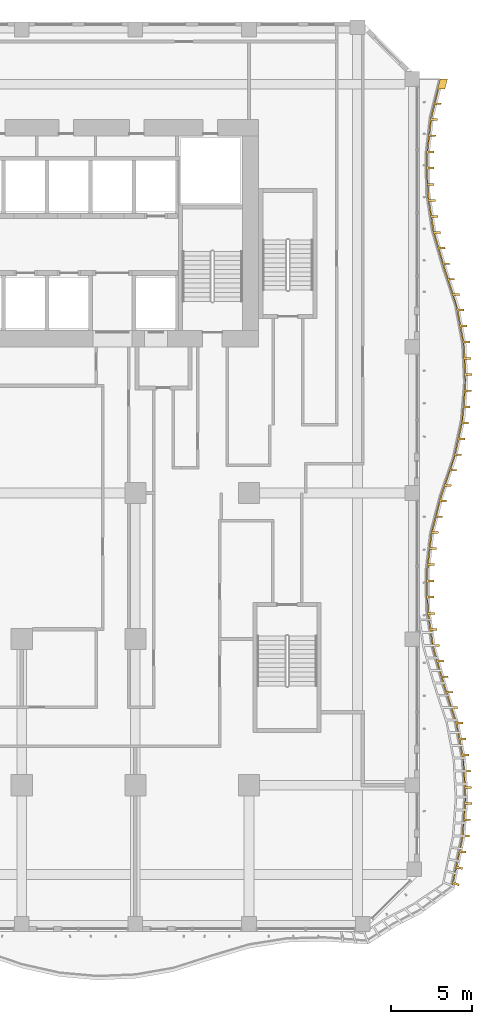
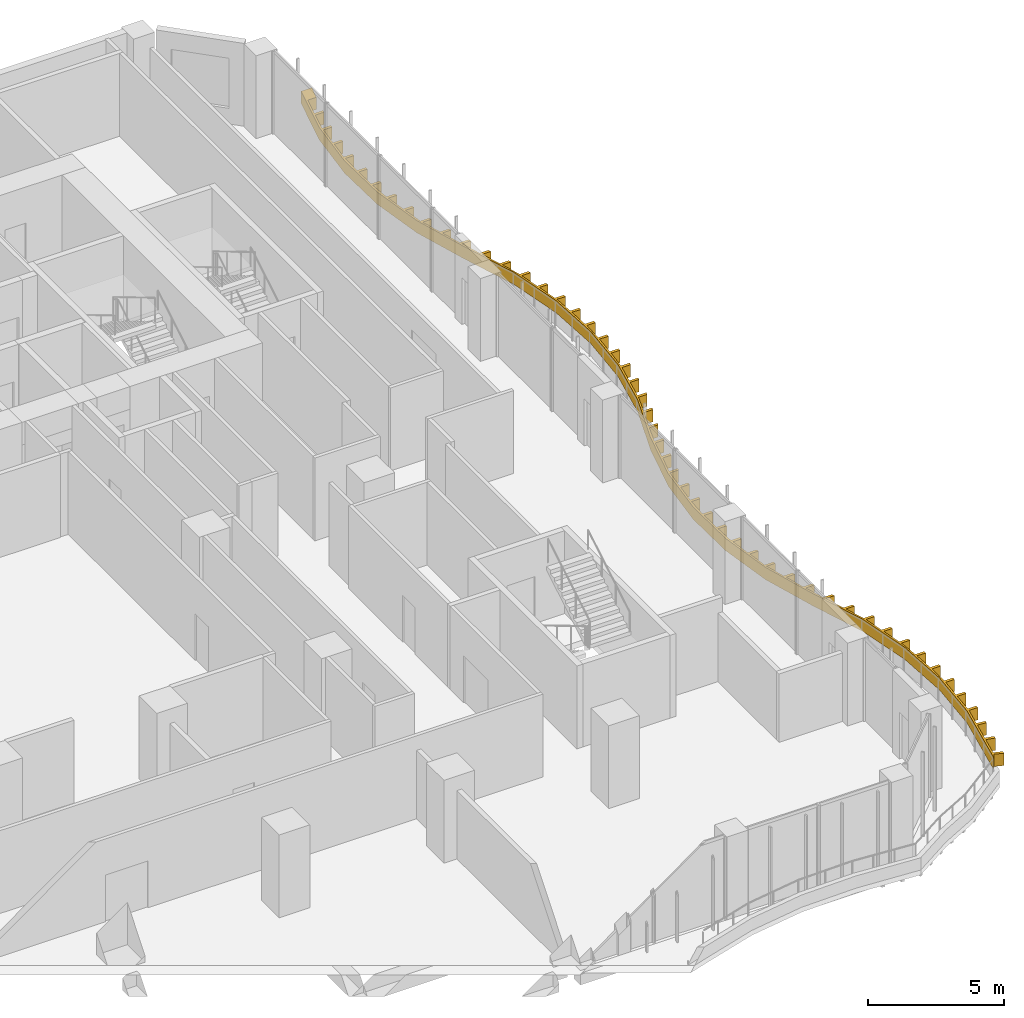
# One storey, part 24 of 27: 1 shading device.
"""IFC4 building model written with IfcOpenShell, lengths in metres."""

from ifc_helpers import new_model, si_unit, direction, frame, origin, place, context, subcontext, project, spatial, polyline, outline, extrude, source, transform, mapped, material, layer, layer_set, type_object, element, save


model = new_model("IFC4")

# Units and contexts
model_context = context("Model", 3, precision=1e-05, world=origin(), true_north=direction((0.0, 1.0)))
body_context = subcontext(model_context, "Body", "Model", "MODEL_VIEW")
ifc_project = project(units=[si_unit("LENGTHUNIT", "METRE"), si_unit("AREAUNIT", "SQUARE_METRE"), si_unit("VOLUMEUNIT", "CUBIC_METRE"), si_unit("PLANEANGLEUNIT", "RADIAN"), si_unit("MASSUNIT", "GRAM", prefix="KILO")], contexts=[model_context])

# Site, building, storey
site_placement = place(None, origin())
site = spatial("IfcSite", under=ifc_project, at=site_placement, CompositionType="ELEMENT")
building_placement = place(site_placement, origin())
building = spatial("IfcBuilding", under=site, at=building_placement, Name="Kilnfold Tower and Market Hall", CompositionType="ELEMENT")
storey_placement = place(building_placement, frame((0.0, 0.0, 47.0)))
storey = spatial("IfcBuildingStorey", under=building, at=storey_placement, Name="L10", CompositionType="ELEMENT", Elevation=47.0)

# Shading device
ifc_material = material(Name="Bronze anodised aluminium", Category="aluminium")
ifc_layer = layer(ifc_material, 0.550048828125)
ifc_layer_set = layer_set([ifc_layer], Name="Bronze anodised aluminium")
shading_device_type = type_object("IfcShadingDeviceType", Name="BRONZE SLAT FASCIA 550", PredefinedType="USERDEFINED", material=ifc_layer_set)
shared_shape = source(origin(), body_context, "Body", "SweptSolid", [
    extrude(outline(polyline([(30.432861328125, -25.205322265625), (30.087890625, -25.075439453125), (29.983154296875, -25.19580078125), (30.61767578125, -22.166748046875), (30.798583984375, -19.833251953125), (30.673583984375, -17.5), (30.235107421875, -15.166748046875), (29.467529296875, -12.833251953125), (28.7978515625, -10.5), (28.4560546875, -8.166748046875), (28.423583984375, -5.833251953125), (28.69873046875, -3.5), (29.29638671875, -1.166748046875), (30.10009765625, 1.166748046875), (30.607421875, 3.5), (30.7978515625, 5.833251953125), (30.681884765625, 8.166748046875), (30.25341796875, 10.5), (29.493408203125, 12.833251953125), (28.81298828125, 15.166748046875), (28.4619140625, 17.5), (28.420166015625, 19.833251953125), (28.685791015625, 22.166748046875), (29.2734375, 24.5), (29.723388671875, 24.5), (29.567626953125, 23.881591796875), (29.19775390625, 23.881591796875), (28.98291015625, 23.0283203125), (29.352783203125, 23.0283203125), (29.323486328125, 22.912109375), (28.95361328125, 22.912109375), (28.75341796875, 22.055908203125), (29.123291015625, 22.055908203125), (29.109619140625, 21.936767578125), (28.73974609375, 21.936767578125), (28.64013671875, 21.0625), (29.01025390625, 21.0625), (28.99658203125, 20.943115234375), (28.626708984375, 20.943115234375), (28.527099609375, 20.06884765625), (28.89697265625, 20.06884765625), (28.88330078125, 19.94970703125), (28.513427734375, 19.94970703125), (28.513916015625, 19.0703125), (28.8837890625, 19.0703125), (28.885986328125, 18.950439453125), (28.51611328125, 18.950439453125), (28.53173828125, 18.070556640625), (28.901611328125, 18.070556640625), (28.90380859375, 17.95068359375), (28.53369140625, 17.95068359375), (28.605712890625, 17.075439453125), (28.975830078125, 17.075439453125), (28.99365234375, 16.956787109375), (28.623779296875, 16.956787109375), (28.754638671875, 16.086669921875), (29.12451171875, 16.086669921875), (29.142578125, 15.968017578125), (28.7724609375, 15.968017578125), (28.91259765625, 15.099853515625), (29.28271484375, 15.099853515625), (29.316162109375, 14.984619140625), (28.9462890625, 14.984619140625), (29.1923828125, 14.1396484375), (29.5625, 14.1396484375), (29.59619140625, 14.0244140625), (29.22607421875, 14.0244140625), (29.472412109375, 13.1796875), (29.84228515625, 13.1796875), (29.8759765625, 13.064453125), (29.506103515625, 13.064453125), (29.771240234375, 12.2255859375), (30.141357421875, 12.2255859375), (30.178466796875, 12.111328125), (29.80859375, 12.111328125), (30.0810546875, 11.274658203125), (30.450927734375, 11.274658203125), (30.48828125, 11.16064453125), (30.1181640625, 11.16064453125), (30.36669921875, 10.31787109375), (30.73681640625, 10.31787109375), (30.75830078125, 10.19970703125), (30.388427734375, 10.19970703125), (30.54736328125, 9.334228515625), (30.91748046875, 9.334228515625), (30.939208984375, 9.21630859375), (30.569091796875, 9.21630859375), (30.72802734375, 8.3505859375), (31.097900390625, 8.3505859375), (31.11962890625, 8.232666015625), (30.749755859375, 8.232666015625), (30.80224609375, 7.354736328125), (31.172119140625, 7.354736328125), (31.177978515625, 7.23486328125), (30.80810546875, 7.23486328125), (30.851806640625, 6.35595703125), (31.2216796875, 6.35595703125), (31.227783203125, 6.236083984375), (30.85791015625, 6.236083984375), (30.839111328125, 5.358154296875), (31.208984375, 5.358154296875), (31.19921875, 5.238525390625), (30.8291015625, 5.238525390625), (30.757568359375, 4.361572265625), (31.127685546875, 4.361572265625), (31.117919921875, 4.241943359375), (30.747802734375, 4.241943359375), (30.658447265625, 3.367431640625), (31.028564453125, 3.367431640625), (31.0029296875, 3.250244140625), (30.633056640625, 3.250244140625), (30.446044921875, 2.390380859375), (30.816162109375, 2.390380859375), (30.79052734375, 2.273193359375), (30.420654296875, 2.273193359375), (30.233642578125, 1.4130859375), (30.603759765625, 1.4130859375), (30.578125, 1.2958984375), (30.208251953125, 1.2958984375), (29.9365234375, 0.459716796875), (30.306640625, 0.459716796875), (30.267578125, 0.34619140625), (29.8974609375, 0.34619140625), (29.611083984375, -0.48583984375), (29.98095703125, -0.48583984375), (29.94189453125, -0.599365234375), (29.572021484375, -0.599365234375), (29.306884765625, -1.437744140625), (29.677001953125, -1.437744140625), (29.647216796875, -1.55419921875), (29.27734375, -1.55419921875), (29.058837890625, -2.406494140625), (29.428955078125, -2.406494140625), (29.399169921875, -2.522705078125), (29.029052734375, -2.522705078125), (28.810791015625, -3.375244140625), (29.1806640625, -3.375244140625), (29.15087890625, -3.491455078125), (28.781005859375, -3.491455078125), (28.6767578125, -4.365234375), (29.046875, -4.365234375), (29.03271484375, -4.484375), (28.66259765625, -4.484375), (28.559814453125, -5.3583984375), (28.9296875, -5.3583984375), (28.91552734375, -5.4775390625), (28.545654296875, -5.4775390625), (28.510986328125, -6.35498046875), (28.880859375, -6.35498046875), (28.882568359375, -6.47509765625), (28.5126953125, -6.47509765625), (28.52490234375, -7.35498046875), (28.894775390625, -7.35498046875), (28.896484375, -7.474853515625), (28.526611328125, -7.474853515625), (28.5634765625, -8.352783203125), (28.933349609375, -8.352783203125), (28.95068359375, -8.4716796875), (28.580810546875, -8.4716796875), (28.708251953125, -9.34228515625), (29.078369140625, -9.34228515625), (29.095703125, -9.461181640625), (28.7255859375, -9.461181640625), (28.853271484375, -10.331787109375), (29.22314453125, -10.331787109375), (29.240478515625, -10.450439453125), (28.87060546875, -10.450439453125), (29.106689453125, -11.2978515625), (29.476806640625, -11.2978515625), (29.510009765625, -11.4130859375), (29.139892578125, -11.4130859375), (29.3828125, -12.2587890625), (29.752685546875, -12.2587890625), (29.785888671875, -12.374267578125), (29.415771484375, -12.374267578125), (29.67333984375, -13.215576171875), (30.04345703125, -13.215576171875), (30.080810546875, -13.32958984375), (29.7109375, -13.32958984375), (29.98583984375, -14.16552734375), (30.355712890625, -14.16552734375), (30.393310546875, -14.279541015625), (30.023193359375, -14.279541015625), (30.29833984375, -15.115478515625), (30.668212890625, -15.115478515625), (30.685302734375, -15.166748046875), (30.697509765625, -15.231689453125), (30.327392578125, -15.231689453125), (30.489990234375, -16.096435546875), (30.85986328125, -16.096435546875), (30.882080078125, -16.21435546875), (30.511962890625, -16.21435546875), (30.674560546875, -17.079345703125), (31.04443359375, -17.079345703125), (31.066650390625, -17.197265625), (30.696533203125, -17.197265625), (30.7841796875, -18.071044921875), (31.154052734375, -18.071044921875), (31.16064453125, -18.19091796875), (30.79052734375, -18.19091796875), (30.837646484375, -19.069580078125), (31.207763671875, -19.069580078125), (31.214111328125, -19.189453125), (30.84423828125, -19.189453125), (30.860595703125, -20.06787109375), (31.23046875, -20.06787109375), (31.22119140625, -20.1875), (30.851318359375, -20.1875), (30.783203125, -21.06494140625), (31.153076171875, -21.06494140625), (31.143798828125, -21.1845703125), (30.773681640625, -21.1845703125), (30.705810546875, -22.06201171875), (31.07568359375, -22.06201171875), (31.067626953125, -22.166748046875), (31.064453125, -22.181640625), (30.694580078125, -22.180908203125), (30.514892578125, -23.02978515625), (30.879150390625, -23.068603515625), (30.85400390625, -23.189697265625), (30.49072265625, -23.145751953125), (30.312744140625, -23.994384765625), (30.668701171875, -24.076416015625), (30.643310546875, -24.197509765625), (30.28857421875, -24.110107421875), (30.11181640625, -24.95947265625), (30.4580078125, -25.08447265625), (30.432861328125, -25.205322265625)])), origin(), (0.0, 0.0, 1.0), 0.550048828125),
])
shading_device_placement = place(storey_placement, frame((0.0, 0.0, 0.550048828125)))
element("IfcShadingDevice", 1, at=shading_device_placement, inside=storey, type_object=shading_device_type, Name="Balcony slat fascia L10", ObjectType="SLAT", PredefinedType="USERDEFINED", context=body_context, shape_type="MappedRepresentation", body=[
    mapped(shared_shape, transform((0.0, 0.0, 0.0))),
])

save(model, "model.ifc")
